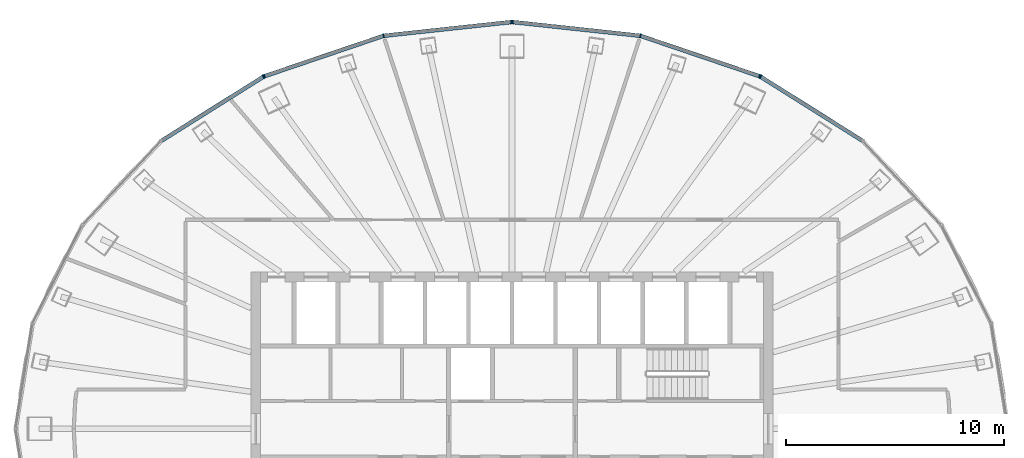
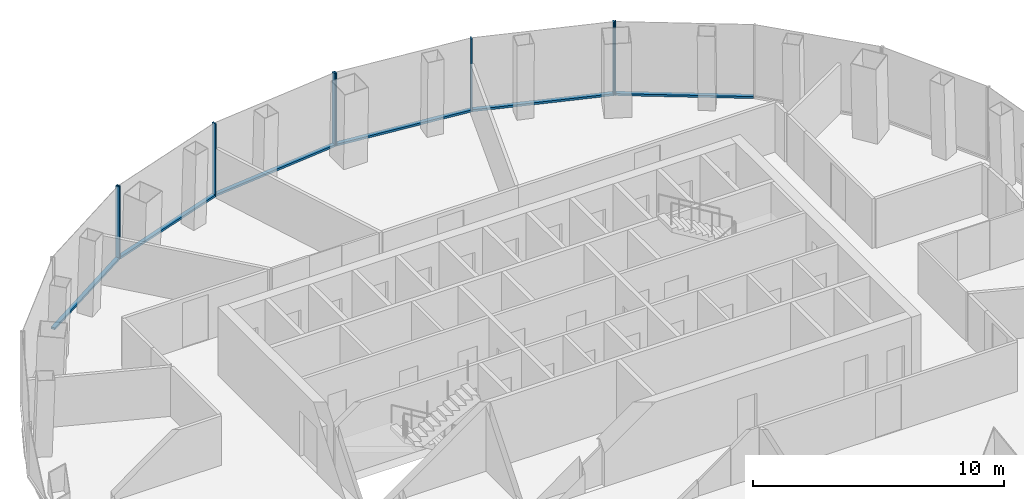
# One storey, part 6 of 11: 14 members, 4 elements without a shape of their own.
"""IFC4 building model written with IfcOpenShell, lengths in metres."""

from ifc_helpers import new_model, si_unit, direction, frame, origin, origin_2d, place, context, subcontext, project, spatial, rectangle, extrude, material, layer, layer_set, material_profile, profile_set, type_object, element, aggregate, save


model = new_model("IFC4")

# Units and contexts
model_context = context("Model", 3, precision=1e-05, world=origin(), true_north=direction((0.0, 1.0)))
body_context = subcontext(model_context, "Body", "Model", "MODEL_VIEW")
ifc_project = project(units=[si_unit("LENGTHUNIT", "METRE"), si_unit("AREAUNIT", "SQUARE_METRE"), si_unit("VOLUMEUNIT", "CUBIC_METRE"), si_unit("PLANEANGLEUNIT", "RADIAN"), si_unit("MASSUNIT", "GRAM", prefix="KILO")], contexts=[model_context])

# Site, building, storey
site_placement = place(None, origin())
site = spatial("IfcSite", under=ifc_project, at=site_placement, CompositionType="ELEMENT")
building_placement = place(site_placement, origin())
building = spatial("IfcBuilding", under=site, at=building_placement, Name="Siaravel Broadcast Tower", CompositionType="ELEMENT")
storey_placement = place(building_placement, frame((0.0, 0.0, 194.10009765625)))
storey = spatial("IfcBuildingStorey", under=building, at=storey_placement, Name="L47", CompositionType="ELEMENT", Elevation=194.10009765625)

# Curtain wall, member
ifc_material = material(Name="Aluminium 6063-T6", Category="aluminium")
ifc_layer = layer(ifc_material, 0.179931640625)
ifc_layer_set = layer_set([ifc_layer], Name="Aluminium 6063-T6")
curtain_wall_type = type_object("IfcCurtainWallType", Name="Unitised curtain wall, zone 3", PredefinedType="NOTDEFINED", material=ifc_layer_set)
curtain_wall_1_placement = place(storey_placement, origin())
curtain_wall_1 = element("IfcCurtainWall", 1, at=curtain_wall_1_placement, inside=storey, type_object=curtain_wall_type, Name="L47 Unitised curtain wall, zone 3 02", PredefinedType="NOTDEFINED")
ifc_material_profile_1 = material_profile(ifc_material, rectangle(XDim=0.179931640625, YDim=0.06005859375, at=origin_2d()))
ifc_profile_set_1 = profile_set([ifc_material_profile_1], Name="Aluminium 6063-T6")
member_type_1 = type_object("IfcMemberType", Name="CW-Z3 mullion", PredefinedType="MULLION", material=ifc_profile_set_1)
member_1_placement = place(storey_placement, frame((11.427001953125, 16.1748046875, 0.0), z_axis=(0.0, 0.0, 1.0), x_axis=(-0.532149052, -0.846650687, 0.0)))
member_1 = element("IfcMember", 2, at=member_1_placement, type_object=member_type_1, Name="CW-Z3 mullion 3", PredefinedType="MULLION", context=body_context, shape_type="SweptSolid", body=[
    extrude(rectangle(XDim=0.179931640625, YDim=0.06005859375, at=origin_2d()), origin(), (0.0, 0.0, 1.0), 3.5498046875),
])

# Curtain wall, members
curtain_wall_2_placement = place(storey_placement, origin())
curtain_wall_2 = element("IfcCurtainWall", 3, at=curtain_wall_2_placement, inside=storey, type_object=curtain_wall_type, Name="L47 Unitised curtain wall, zone 3 03", PredefinedType="NOTDEFINED")
member_2_placement = place(storey_placement, frame((11.373046875, 16.2001953125, 0.0), z_axis=(0.0, 0.0, 1.0), x_axis=(-0.321300458, -0.946977305, 0.0)))
member_2 = element("IfcMember", 4, at=member_2_placement, type_object=member_type_1, Name="CW-Z3 mullion 1", PredefinedType="MULLION", context=body_context, shape_type="SweptSolid", body=[
    extrude(rectangle(XDim=0.179931640625, YDim=0.06005859375, at=origin_2d()), origin(), (0.0, 0.0, 1.0), 3.5498046875),
])
member_3_placement = place(storey_placement, frame((5.901611328125, 18.056884765625, 0.0), z_axis=(0.0, 0.0, 1.0), x_axis=(-0.21555795, -0.97649105, 0.0)))
member_3 = element("IfcMember", 5, at=member_3_placement, type_object=member_type_1, Name="CW-Z3 mullion 2", PredefinedType="MULLION", context=body_context, shape_type="SweptSolid", body=[
    extrude(rectangle(XDim=0.179931640625, YDim=0.06005859375, at=origin_2d()), origin(), (0.0, 0.0, 1.0), 3.5498046875),
])
member_4_placement = place(storey_placement, frame((0.02978515625, 18.68994140625, 0.0), z_axis=(0.0, 0.0, 1.0), x_axis=(-0.107217422, -0.994235598, 0.0)))
member_4 = element("IfcMember", 6, at=member_4_placement, type_object=member_type_1, Name="CW-Z3 mullion 3", PredefinedType="MULLION", context=body_context, shape_type="SweptSolid", body=[
    extrude(rectangle(XDim=0.179931640625, YDim=0.06005859375, at=origin_2d()), origin(), (0.0, 0.0, 1.0), 3.5498046875),
])

curtain_wall_3_placement = place(storey_placement, origin())
curtain_wall_3 = element("IfcCurtainWall", 7, at=curtain_wall_3_placement, inside=storey, type_object=curtain_wall_type, Name="L47 Unitised curtain wall, zone 3 04", PredefinedType="NOTDEFINED")
member_5_placement = place(storey_placement, frame((-0.02978515625, 18.68994140625, 0.0), z_axis=(0.0, 0.0, 1.0), x_axis=(0.107217422, -0.994235598, 0.0)))
member_5 = element("IfcMember", 8, at=member_5_placement, type_object=member_type_1, Name="CW-Z3 mullion 1", PredefinedType="MULLION", context=body_context, shape_type="SweptSolid", body=[
    extrude(rectangle(XDim=0.179931640625, YDim=0.06005859375, at=origin_2d()), origin(), (0.0, 0.0, 1.0), 3.5498046875),
])
member_6_placement = place(storey_placement, frame((-5.901611328125, 18.056884765625, 0.0), z_axis=(0.0, 0.0, 1.0), x_axis=(0.21555795, -0.97649105, 0.0)))
member_6 = element("IfcMember", 9, at=member_6_placement, type_object=member_type_1, Name="CW-Z3 mullion 2", PredefinedType="MULLION", context=body_context, shape_type="SweptSolid", body=[
    extrude(rectangle(XDim=0.179931640625, YDim=0.06005859375, at=origin_2d()), origin(), (0.0, 0.0, 1.0), 3.5498046875),
])
member_7_placement = place(storey_placement, frame((-11.373046875, 16.2001953125, 0.0), z_axis=(0.0, 0.0, 1.0), x_axis=(0.321300458, -0.946977305, 0.0)))
member_7 = element("IfcMember", 10, at=member_7_placement, type_object=member_type_1, Name="CW-Z3 mullion 3", PredefinedType="MULLION", context=body_context, shape_type="SweptSolid", body=[
    extrude(rectangle(XDim=0.179931640625, YDim=0.06005859375, at=origin_2d()), origin(), (0.0, 0.0, 1.0), 3.5498046875),
])

# Curtain wall, member
curtain_wall_4_placement = place(storey_placement, origin())
curtain_wall_4 = element("IfcCurtainWall", 11, at=curtain_wall_4_placement, inside=storey, type_object=curtain_wall_type, Name="L47 Unitised curtain wall, zone 3 05", PredefinedType="NOTDEFINED")
member_8_placement = place(storey_placement, frame((-11.427001953125, 16.1748046875, 0.0), z_axis=(0.0, 0.0, 1.0), x_axis=(0.532149052, -0.846650687, 0.0)))
member_8 = element("IfcMember", 12, at=member_8_placement, type_object=member_type_1, Name="CW-Z3 mullion 1", PredefinedType="MULLION", context=body_context, shape_type="SweptSolid", body=[
    extrude(rectangle(XDim=0.179931640625, YDim=0.06005859375, at=origin_2d()), origin(), (0.0, 0.0, 1.0), 3.5498046875),
])

# Member
ifc_material_profile_2 = material_profile(ifc_material, rectangle(XDim=0.179931640625, YDim=0.10009765625, at=origin_2d()))
ifc_profile_set_2 = profile_set([ifc_material_profile_2], Name="Aluminium 6063-T6")
member_type_2 = type_object("IfcMemberType", Name="CW-Z3 transom", PredefinedType="USERDEFINED", material=ifc_profile_set_2)
member_9_placement = place(storey_placement, frame((16.10009765625, 13.2373046875, 0.0498046875), z_axis=(-0.846638839, 0.532167902, 0.0), x_axis=(-0.532167902, -0.846638839, 0.0)))
member_9 = element("IfcMember", 13, at=member_9_placement, type_object=member_type_2, Name="CW-Z3 transom 2", ObjectType="TRANSOM", PredefinedType="USERDEFINED", context=body_context, shape_type="SweptSolid", body=[
    extrude(rectangle(XDim=0.179931640625, YDim=0.10009765625, at=origin_2d()), origin(), (0.0, 0.0, 1.0), 5.489501953125),
])

aggregate(curtain_wall_1, [member_1, member_9])

member_10_placement = place(storey_placement, frame((11.3447265625, 16.2099609375, 0.0498046875), z_axis=(-0.946978932, 0.321295661, 0.0), x_axis=(-0.321295661, -0.946978932, 0.0)))
member_10 = element("IfcMember", 14, at=member_10_placement, type_object=member_type_2, Name="CW-Z3 transom 1", ObjectType="TRANSOM", PredefinedType="USERDEFINED", context=body_context, shape_type="SweptSolid", body=[
    extrude(rectangle(XDim=0.179931640625, YDim=0.10009765625, at=origin_2d()), origin(), (0.0, 0.0, 1.0), 5.718017578125),
])

member_11_placement = place(storey_placement, frame((5.87158203125, 18.06005859375, 0.0498046875), z_axis=(-0.994236081, 0.107212939, 0.0), x_axis=(-0.107212939, -0.994236081, 0.0)))
member_11 = element("IfcMember", 15, at=member_11_placement, type_object=member_type_2, Name="CW-Z3 transom 2", ObjectType="TRANSOM", PredefinedType="USERDEFINED", context=body_context, shape_type="SweptSolid", body=[
    extrude(rectangle(XDim=0.179931640625, YDim=0.10009765625, at=origin_2d()), origin(), (0.0, 0.0, 1.0), 5.845458984375),
])

aggregate(curtain_wall_2, [member_2, member_3, member_4, member_10, member_11])

member_12_placement = place(storey_placement, frame((-0.059814453125, 18.686767578125, 0.0498046875), z_axis=(-0.994236081, -0.107212939, 0.0), x_axis=(0.107212939, -0.994236081, 0.0)))
member_12 = element("IfcMember", 16, at=member_12_placement, type_object=member_type_2, Name="CW-Z3 transom 1", ObjectType="TRANSOM", PredefinedType="USERDEFINED", context=body_context, shape_type="SweptSolid", body=[
    extrude(rectangle(XDim=0.179931640625, YDim=0.10009765625, at=origin_2d()), origin(), (0.0, 0.0, 1.0), 5.845458984375),
])

member_13_placement = place(storey_placement, frame((-5.929931640625, 18.047119140625, 0.0498046875), z_axis=(-0.946978932, -0.321295661, 0.0), x_axis=(0.321295661, -0.946978932, 0.0)))
member_13 = element("IfcMember", 17, at=member_13_placement, type_object=member_type_2, Name="CW-Z3 transom 2", ObjectType="TRANSOM", PredefinedType="USERDEFINED", context=body_context, shape_type="SweptSolid", body=[
    extrude(rectangle(XDim=0.179931640625, YDim=0.10009765625, at=origin_2d()), origin(), (0.0, 0.0, 1.0), 5.718017578125),
])

aggregate(curtain_wall_3, [member_5, member_6, member_7, member_12, member_13])

member_14_placement = place(storey_placement, frame((-11.452392578125, 16.15869140625, 0.0498046875), z_axis=(-0.846638839, -0.532167902, 0.0), x_axis=(0.532167902, -0.846638839, 0.0)))
member_14 = element("IfcMember", 18, at=member_14_placement, type_object=member_type_2, Name="CW-Z3 transom 1", ObjectType="TRANSOM", PredefinedType="USERDEFINED", context=body_context, shape_type="SweptSolid", body=[
    extrude(rectangle(XDim=0.179931640625, YDim=0.10009765625, at=origin_2d()), origin(), (0.0, 0.0, 1.0), 5.489501953125),
])

aggregate(curtain_wall_4, [member_8, member_14])

save(model, "model.ifc")
